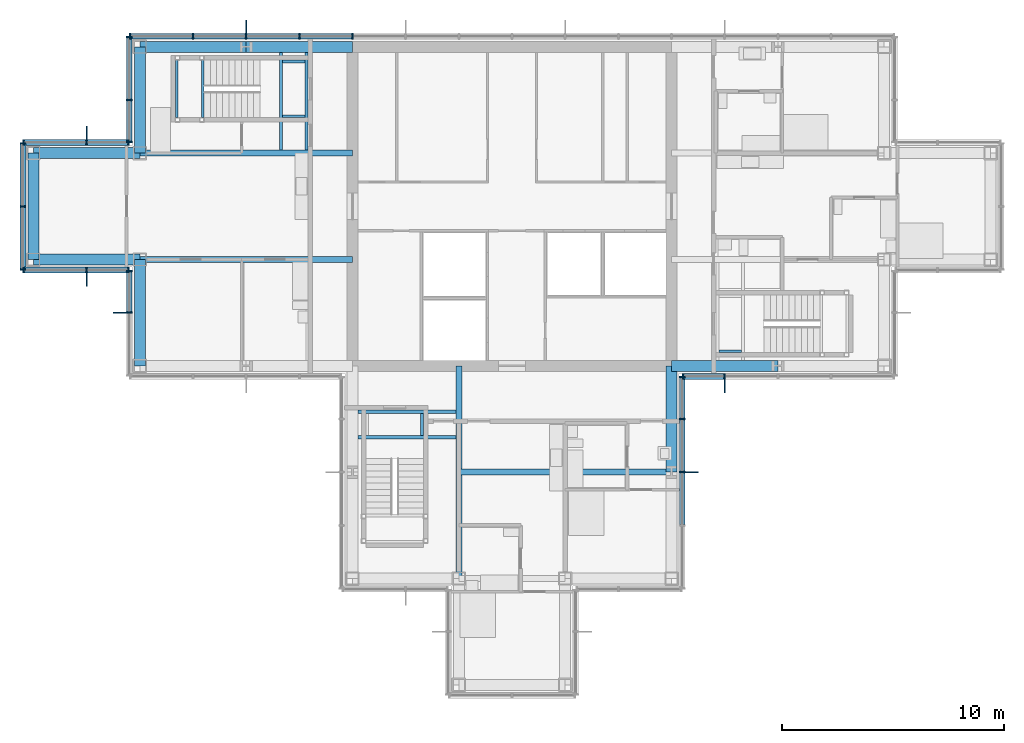
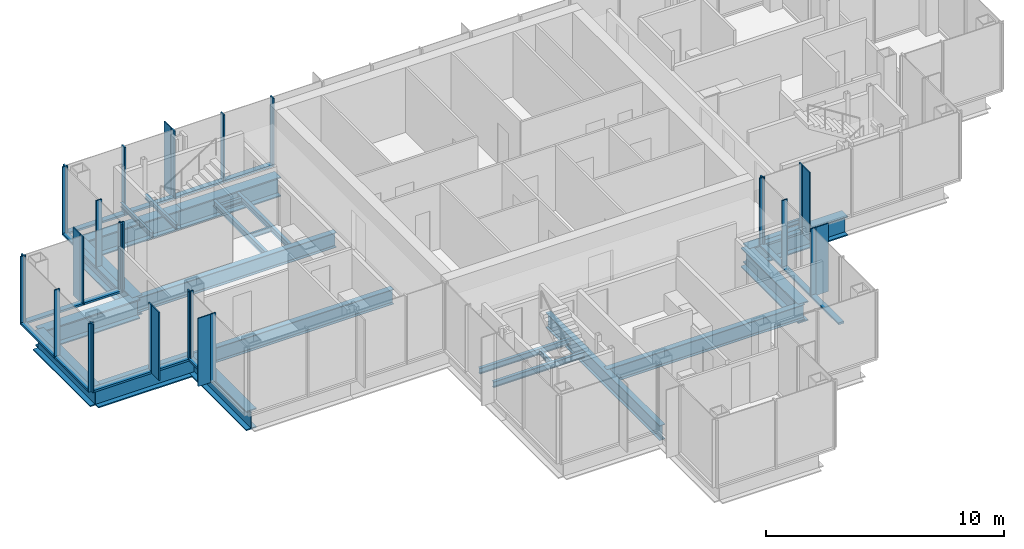
# One storey, part 6 of 15: 47 members, 23 beams, 8 elements without a shape of their own.
"""IFC4 building model written with IfcOpenShell, lengths in metres."""

from ifc_helpers import new_model, si_unit, direction, frame, origin, origin_2d, place, context, subcontext, project, spatial, rectangle, i_section, extrude, material, material_profile, profile_set, type_object, element, aggregate, save


model = new_model("IFC4")

# Units and contexts
model_context = context("Model", 3, precision=1e-05, world=origin(), true_north=direction((0.0, 1.0)))
body_context = subcontext(model_context, "Body", "Model", "MODEL_VIEW")
ifc_project = project(units=[si_unit("LENGTHUNIT", "METRE"), si_unit("AREAUNIT", "SQUARE_METRE"), si_unit("VOLUMEUNIT", "CUBIC_METRE"), si_unit("PLANEANGLEUNIT", "RADIAN"), si_unit("MASSUNIT", "GRAM", prefix="KILO")], contexts=[model_context])

# Site, building, storey
site_placement = place(None, origin())
site = spatial("IfcSite", under=ifc_project, at=site_placement, CompositionType="ELEMENT")
building_placement = place(site_placement, origin())
building = spatial("IfcBuilding", under=site, at=building_placement, Name="Kvirike Care Tower", CompositionType="ELEMENT")
storey_placement = place(building_placement, frame((0.0, 0.0, 215.5)))
storey = spatial("IfcBuildingStorey", under=building, at=storey_placement, Name="L59", CompositionType="ELEMENT", Elevation=215.5)

# Curtain wall, member
ifc_material_1 = material(Name="Anodised aluminium stick system", Category="aluminium")
curtain_wall_type = type_object("IfcCurtainWallType", Name="CW-D STICK CURTAIN WALL", PredefinedType="NOTDEFINED", material=ifc_material_1)
curtain_wall_1_placement = place(storey_placement, origin())
curtain_wall_1 = element("IfcCurtainWall", 1, at=curtain_wall_1_placement, inside=storey, type_object=curtain_wall_type, Name="Curtain wall L59 face 1", PredefinedType="NOTDEFINED")
ifc_material_2 = material(Name="Bronze anodised aluminium fin", Category="aluminium")
ifc_material_profile_1 = material_profile(ifc_material_2, rectangle(XDim=0.050048828125, YDim=0.60009765625, at=origin_2d()), Name="BRONZE FIN 600")
ifc_profile_set_1 = profile_set([ifc_material_profile_1], Name="Bronze anodised aluminium fin")
member_type_1 = type_object("IfcMemberType", Name="BRONZE FIN 600", PredefinedType="USERDEFINED", material=ifc_profile_set_1)
member_1_placement = place(storey_placement, frame((31.199951171875, 27.889892578125, 0.0), z_axis=(0.0, 0.0, 1.0), x_axis=(1.0, 0.0, 0.0)))
member_1 = element("IfcMember", 2, at=member_1_placement, type_object=member_type_1, Name="Bronze fin L59 face 1.2", ObjectType="FIN", PredefinedType="USERDEFINED", context=body_context, shape_type="SweptSolid", body=[
    extrude(rectangle(XDim=0.050048828125, YDim=0.60009765625, at=origin_2d()), origin(), (0.0, 0.0, 1.0), 3.5),
])

curtain_wall_2_placement = place(storey_placement, origin())
curtain_wall_2 = element("IfcCurtainWall", 3, at=curtain_wall_2_placement, inside=storey, type_object=curtain_wall_type, Name="Curtain wall L59 face 7", PredefinedType="NOTDEFINED")
member_2_placement = place(storey_placement, frame((9.60009765625, 44.110107421875, 0.0), z_axis=(0.0, 0.0, 1.0), x_axis=(-1.0, 0.0, 0.0)))
member_2 = element("IfcMember", 4, at=member_2_placement, type_object=member_type_1, Name="Bronze fin L59 face 7.13", ObjectType="FIN", PredefinedType="USERDEFINED", context=body_context, shape_type="SweptSolid", body=[
    extrude(rectangle(XDim=0.050048828125, YDim=0.60009765625, at=origin_2d()), origin(), (0.0, 0.0, 1.0), 3.5),
])

curtain_wall_3_placement = place(storey_placement, origin())
curtain_wall_3 = element("IfcCurtainWall", 5, at=curtain_wall_3_placement, inside=storey, type_object=curtain_wall_type, Name="Curtain wall L59 face 9", PredefinedType="NOTDEFINED")
member_3_placement = place(storey_placement, frame((2.39990234375, 39.31005859375, 0.0), z_axis=(0.0, 0.0, 1.0), x_axis=(-1.0, 0.0, 0.0)))
member_3 = element("IfcMember", 6, at=member_3_placement, type_object=member_type_1, Name="Bronze fin L59 face 9.2", ObjectType="FIN", PredefinedType="USERDEFINED", context=body_context, shape_type="SweptSolid", body=[
    extrude(rectangle(XDim=0.050048828125, YDim=0.60009765625, at=origin_2d()), origin(), (0.0, 0.0, 1.0), 3.5),
])

curtain_wall_4_placement = place(storey_placement, origin())
curtain_wall_4 = element("IfcCurtainWall", 7, at=curtain_wall_4_placement, inside=storey, type_object=curtain_wall_type, Name="Curtain wall L59 face 11", PredefinedType="NOTDEFINED")
member_4_placement = place(storey_placement, frame((2.39990234375, 32.68994140625, 0.0), z_axis=(0.0, 0.0, 1.0), x_axis=(1.0, 0.0, 0.0)))
member_4 = element("IfcMember", 8, at=member_4_placement, type_object=member_type_1, Name="Bronze fin L59 face 11.2", ObjectType="FIN", PredefinedType="USERDEFINED", context=body_context, shape_type="SweptSolid", body=[
    extrude(rectangle(XDim=0.050048828125, YDim=0.60009765625, at=origin_2d()), origin(), (0.0, 0.0, 1.0), 3.5),
])

curtain_wall_5_placement = place(storey_placement, origin())
curtain_wall_5 = element("IfcCurtainWall", 9, at=curtain_wall_5_placement, inside=storey, type_object=curtain_wall_type, Name="Curtain wall L59 face 12", PredefinedType="NOTDEFINED")
member_5_placement = place(storey_placement, frame((3.889892578125, 31.199951171875, 0.0), z_axis=(0.0, 0.0, 1.0), x_axis=(0.0, -1.0, 0.0)))
member_5 = element("IfcMember", 10, at=member_5_placement, type_object=member_type_1, Name="Bronze fin L59 face 12.2", ObjectType="FIN", PredefinedType="USERDEFINED", context=body_context, shape_type="SweptSolid", body=[
    extrude(rectangle(XDim=0.050048828125, YDim=0.60009765625, at=origin_2d()), origin(), (0.0, 0.0, 1.0), 3.5),
])

curtain_wall_6_placement = place(storey_placement, origin())
curtain_wall_6 = element("IfcCurtainWall", 11, at=curtain_wall_6_placement, inside=storey, type_object=curtain_wall_type, Name="Curtain wall L59 face 20", PredefinedType="NOTDEFINED")
member_6_placement = place(storey_placement, frame((29.7099609375, 24.0, 0.0), z_axis=(0.0, 0.0, 1.0), x_axis=(0.0, 1.0, 0.0)))
member_6 = element("IfcMember", 12, at=member_6_placement, type_object=member_type_1, Name="Bronze fin L59 face 20.3", ObjectType="FIN", PredefinedType="USERDEFINED", context=body_context, shape_type="SweptSolid", body=[
    extrude(rectangle(XDim=0.050048828125, YDim=0.60009765625, at=origin_2d()), origin(), (0.0, 0.0, 1.0), 3.5),
])

# Member
ifc_material_3 = material(Name="Bronze anodised aluminium mullion", Category="aluminium")
ifc_material_profile_2 = material_profile(ifc_material_3, rectangle(XDim=0.06494140625, YDim=0.260009765625, at=origin_2d()), Name="CW-D MULLION 65x260")
ifc_profile_set_2 = profile_set([ifc_material_profile_2], Name="Bronze anodised aluminium mullion")
member_type_2 = type_object("IfcMemberType", Name="CW-D MULLION 65x260", PredefinedType="MULLION", material=ifc_profile_set_2)
member_7_placement = place(storey_placement, frame((29.3125, 28.320068359375, 0.0), z_axis=(0.0, 0.0, 1.0), x_axis=(1.0, 0.0, 0.0)))
member_7 = element("IfcMember", 13, at=member_7_placement, type_object=member_type_2, Name="CW-D mullion L59 face 1.1", PredefinedType="MULLION", context=body_context, shape_type="SweptSolid", body=[
    extrude(rectangle(XDim=0.06494140625, YDim=0.260009765625, at=origin_2d()), origin(), (0.0, 0.0, 1.0), 3.5),
])

member_8_placement = place(storey_placement, frame((31.199951171875, 28.320068359375, 0.0), z_axis=(0.0, 0.0, 1.0), x_axis=(1.0, 0.0, 0.0)))
member_8 = element("IfcMember", 14, at=member_8_placement, type_object=member_type_2, Name="CW-D mullion L59 face 1.2", PredefinedType="MULLION", context=body_context, shape_type="SweptSolid", body=[
    extrude(rectangle(XDim=0.06494140625, YDim=0.260009765625, at=origin_2d()), origin(), (0.0, 0.0, 1.0), 3.5),
])

member_9_placement = place(storey_placement, frame((14.39990234375, 43.679931640625, 0.0), z_axis=(0.0, 0.0, 1.0), x_axis=(-1.0, 0.0, 0.0)))
member_9 = element("IfcMember", 15, at=member_9_placement, type_object=member_type_2, Name="CW-D mullion L59 face 7.11", PredefinedType="MULLION", context=body_context, shape_type="SweptSolid", body=[
    extrude(rectangle(XDim=0.06494140625, YDim=0.260009765625, at=origin_2d()), origin(), (0.0, 0.0, 1.0), 3.5),
])

member_10_placement = place(storey_placement, frame((12.0, 43.679931640625, 0.0), z_axis=(0.0, 0.0, 1.0), x_axis=(-1.0, 0.0, 0.0)))
member_10 = element("IfcMember", 16, at=member_10_placement, type_object=member_type_2, Name="CW-D mullion L59 face 7.12", PredefinedType="MULLION", context=body_context, shape_type="SweptSolid", body=[
    extrude(rectangle(XDim=0.06494140625, YDim=0.260009765625, at=origin_2d()), origin(), (0.0, 0.0, 1.0), 3.5),
])

member_11_placement = place(storey_placement, frame((9.60009765625, 43.679931640625, 0.0), z_axis=(0.0, 0.0, 1.0), x_axis=(-1.0, 0.0, 0.0)))
member_11 = element("IfcMember", 17, at=member_11_placement, type_object=member_type_2, Name="CW-D mullion L59 face 7.13", PredefinedType="MULLION", context=body_context, shape_type="SweptSolid", body=[
    extrude(rectangle(XDim=0.06494140625, YDim=0.260009765625, at=origin_2d()), origin(), (0.0, 0.0, 1.0), 3.5),
])

member_12_placement = place(storey_placement, frame((7.199951171875, 43.679931640625, 0.0), z_axis=(0.0, 0.0, 1.0), x_axis=(-1.0, 0.0, 0.0)))
member_12 = element("IfcMember", 18, at=member_12_placement, type_object=member_type_2, Name="CW-D mullion L59 face 7.14", PredefinedType="MULLION", context=body_context, shape_type="SweptSolid", body=[
    extrude(rectangle(XDim=0.06494140625, YDim=0.260009765625, at=origin_2d()), origin(), (0.0, 0.0, 1.0), 3.5),
])

member_13_placement = place(storey_placement, frame((4.3525390625, 43.679931640625, 0.0), z_axis=(0.0, 0.0, 1.0), x_axis=(-1.0, 0.0, 0.0)))
member_13 = element("IfcMember", 19, at=member_13_placement, type_object=member_type_2, Name="CW-D mullion L59 face 7.15", PredefinedType="MULLION", context=body_context, shape_type="SweptSolid", body=[
    extrude(rectangle(XDim=0.06494140625, YDim=0.260009765625, at=origin_2d()), origin(), (0.0, 0.0, 1.0), 3.5),
])

# Curtain wall, members
curtain_wall_7_placement = place(storey_placement, origin())
curtain_wall_7 = element("IfcCurtainWall", 20, at=curtain_wall_7_placement, inside=storey, type_object=curtain_wall_type, Name="Curtain wall L59 face 8", PredefinedType="NOTDEFINED")
member_14_placement = place(storey_placement, frame((4.320068359375, 43.6474609375, 0.0), z_axis=(0.0, 0.0, 1.0), x_axis=(0.0, -1.0, 0.0)))
member_14 = element("IfcMember", 21, at=member_14_placement, type_object=member_type_2, Name="CW-D mullion L59 face 8.1", PredefinedType="MULLION", context=body_context, shape_type="SweptSolid", body=[
    extrude(rectangle(XDim=0.06494140625, YDim=0.260009765625, at=origin_2d()), origin(), (0.0, 0.0, 1.0), 3.5),
])
member_15_placement = place(storey_placement, frame((4.320068359375, 40.800048828125, 0.0), z_axis=(0.0, 0.0, 1.0), x_axis=(0.0, -1.0, 0.0)))
member_15 = element("IfcMember", 22, at=member_15_placement, type_object=member_type_2, Name="CW-D mullion L59 face 8.2", PredefinedType="MULLION", context=body_context, shape_type="SweptSolid", body=[
    extrude(rectangle(XDim=0.06494140625, YDim=0.260009765625, at=origin_2d()), origin(), (0.0, 0.0, 1.0), 3.5),
])
member_16_placement = place(storey_placement, frame((4.320068359375, 38.91259765625, 0.0), z_axis=(0.0, 0.0, 1.0), x_axis=(0.0, -1.0, 0.0)))
member_16 = element("IfcMember", 23, at=member_16_placement, type_object=member_type_2, Name="CW-D mullion L59 face 8.3", PredefinedType="MULLION", context=body_context, shape_type="SweptSolid", body=[
    extrude(rectangle(XDim=0.06494140625, YDim=0.260009765625, at=origin_2d()), origin(), (0.0, 0.0, 1.0), 3.5),
])

# Member
member_17_placement = place(storey_placement, frame((4.28759765625, 38.8798828125, 0.0), z_axis=(0.0, 0.0, 1.0), x_axis=(-1.0, 0.0, 0.0)))
member_17 = element("IfcMember", 24, at=member_17_placement, type_object=member_type_2, Name="CW-D mullion L59 face 9.1", PredefinedType="MULLION", context=body_context, shape_type="SweptSolid", body=[
    extrude(rectangle(XDim=0.06494140625, YDim=0.260009765625, at=origin_2d()), origin(), (0.0, 0.0, 1.0), 3.5),
])

member_18_placement = place(storey_placement, frame((2.39990234375, 38.8798828125, 0.0), z_axis=(0.0, 0.0, 1.0), x_axis=(-1.0, 0.0, 0.0)))
member_18 = element("IfcMember", 25, at=member_18_placement, type_object=member_type_2, Name="CW-D mullion L59 face 9.2", PredefinedType="MULLION", context=body_context, shape_type="SweptSolid", body=[
    extrude(rectangle(XDim=0.06494140625, YDim=0.260009765625, at=origin_2d()), origin(), (0.0, 0.0, 1.0), 3.5),
])

member_19_placement = place(storey_placement, frame((-0.447509765625, 38.8798828125, 0.0), z_axis=(0.0, 0.0, 1.0), x_axis=(-1.0, 0.0, 0.0)))
member_19 = element("IfcMember", 26, at=member_19_placement, type_object=member_type_2, Name="CW-D mullion L59 face 9.3", PredefinedType="MULLION", context=body_context, shape_type="SweptSolid", body=[
    extrude(rectangle(XDim=0.06494140625, YDim=0.260009765625, at=origin_2d()), origin(), (0.0, 0.0, 1.0), 3.5),
])

# Curtain wall, members
curtain_wall_8_placement = place(storey_placement, origin())
curtain_wall_8 = element("IfcCurtainWall", 27, at=curtain_wall_8_placement, inside=storey, type_object=curtain_wall_type, Name="Curtain wall L59 face 10", PredefinedType="NOTDEFINED")
member_20_placement = place(storey_placement, frame((-0.47998046875, 38.847412109375, 0.0), z_axis=(0.0, 0.0, 1.0), x_axis=(0.0, -1.0, 0.0)))
member_20 = element("IfcMember", 28, at=member_20_placement, type_object=member_type_2, Name="CW-D mullion L59 face 10.1", PredefinedType="MULLION", context=body_context, shape_type="SweptSolid", body=[
    extrude(rectangle(XDim=0.06494140625, YDim=0.260009765625, at=origin_2d()), origin(), (0.0, 0.0, 1.0), 3.5),
])
member_21_placement = place(storey_placement, frame((-0.47998046875, 36.0, 0.0), z_axis=(0.0, 0.0, 1.0), x_axis=(0.0, -1.0, 0.0)))
member_21 = element("IfcMember", 29, at=member_21_placement, type_object=member_type_2, Name="CW-D mullion L59 face 10.2", PredefinedType="MULLION", context=body_context, shape_type="SweptSolid", body=[
    extrude(rectangle(XDim=0.06494140625, YDim=0.260009765625, at=origin_2d()), origin(), (0.0, 0.0, 1.0), 3.5),
])
member_22_placement = place(storey_placement, frame((-0.47998046875, 33.152587890625, 0.0), z_axis=(0.0, 0.0, 1.0), x_axis=(0.0, -1.0, 0.0)))
member_22 = element("IfcMember", 30, at=member_22_placement, type_object=member_type_2, Name="CW-D mullion L59 face 10.3", PredefinedType="MULLION", context=body_context, shape_type="SweptSolid", body=[
    extrude(rectangle(XDim=0.06494140625, YDim=0.260009765625, at=origin_2d()), origin(), (0.0, 0.0, 1.0), 3.5),
])

# Member
member_23_placement = place(storey_placement, frame((-0.447509765625, 33.1201171875, 0.0), z_axis=(0.0, 0.0, 1.0), x_axis=(1.0, 0.0, 0.0)))
member_23 = element("IfcMember", 31, at=member_23_placement, type_object=member_type_2, Name="CW-D mullion L59 face 11.1", PredefinedType="MULLION", context=body_context, shape_type="SweptSolid", body=[
    extrude(rectangle(XDim=0.06494140625, YDim=0.260009765625, at=origin_2d()), origin(), (0.0, 0.0, 1.0), 3.5),
])

member_24_placement = place(storey_placement, frame((2.39990234375, 33.1201171875, 0.0), z_axis=(0.0, 0.0, 1.0), x_axis=(1.0, 0.0, 0.0)))
member_24 = element("IfcMember", 32, at=member_24_placement, type_object=member_type_2, Name="CW-D mullion L59 face 11.2", PredefinedType="MULLION", context=body_context, shape_type="SweptSolid", body=[
    extrude(rectangle(XDim=0.06494140625, YDim=0.260009765625, at=origin_2d()), origin(), (0.0, 0.0, 1.0), 3.5),
])

member_25_placement = place(storey_placement, frame((4.28759765625, 33.1201171875, 0.0), z_axis=(0.0, 0.0, 1.0), x_axis=(1.0, 0.0, 0.0)))
member_25 = element("IfcMember", 33, at=member_25_placement, type_object=member_type_2, Name="CW-D mullion L59 face 11.3", PredefinedType="MULLION", context=body_context, shape_type="SweptSolid", body=[
    extrude(rectangle(XDim=0.06494140625, YDim=0.260009765625, at=origin_2d()), origin(), (0.0, 0.0, 1.0), 3.5),
])

member_26_placement = place(storey_placement, frame((4.320068359375, 33.08740234375, 0.0), z_axis=(0.0, 0.0, 1.0), x_axis=(0.0, -1.0, 0.0)))
member_26 = element("IfcMember", 34, at=member_26_placement, type_object=member_type_2, Name="CW-D mullion L59 face 12.1", PredefinedType="MULLION", context=body_context, shape_type="SweptSolid", body=[
    extrude(rectangle(XDim=0.06494140625, YDim=0.260009765625, at=origin_2d()), origin(), (0.0, 0.0, 1.0), 3.5),
])

member_27_placement = place(storey_placement, frame((4.320068359375, 31.199951171875, 0.0), z_axis=(0.0, 0.0, 1.0), x_axis=(0.0, -1.0, 0.0)))
member_27 = element("IfcMember", 35, at=member_27_placement, type_object=member_type_2, Name="CW-D mullion L59 face 12.2", PredefinedType="MULLION", context=body_context, shape_type="SweptSolid", body=[
    extrude(rectangle(XDim=0.06494140625, YDim=0.260009765625, at=origin_2d()), origin(), (0.0, 0.0, 1.0), 3.5),
])

member_28_placement = place(storey_placement, frame((29.280029296875, 24.0, 0.0), z_axis=(0.0, 0.0, 1.0), x_axis=(0.0, 1.0, 0.0)))
member_28 = element("IfcMember", 36, at=member_28_placement, type_object=member_type_2, Name="CW-D mullion L59 face 20.3", PredefinedType="MULLION", context=body_context, shape_type="SweptSolid", body=[
    extrude(rectangle(XDim=0.06494140625, YDim=0.260009765625, at=origin_2d()), origin(), (0.0, 0.0, 1.0), 3.5),
])

member_29_placement = place(storey_placement, frame((29.280029296875, 26.39990234375, 0.0), z_axis=(0.0, 0.0, 1.0), x_axis=(0.0, 1.0, 0.0)))
member_29 = element("IfcMember", 37, at=member_29_placement, type_object=member_type_2, Name="CW-D mullion L59 face 20.4", PredefinedType="MULLION", context=body_context, shape_type="SweptSolid", body=[
    extrude(rectangle(XDim=0.06494140625, YDim=0.260009765625, at=origin_2d()), origin(), (0.0, 0.0, 1.0), 3.5),
])

member_30_placement = place(storey_placement, frame((29.280029296875, 28.28759765625, 0.0), z_axis=(0.0, 0.0, 1.0), x_axis=(0.0, 1.0, 0.0)))
member_30 = element("IfcMember", 38, at=member_30_placement, type_object=member_type_2, Name="CW-D mullion L59 face 20.5", PredefinedType="MULLION", context=body_context, shape_type="SweptSolid", body=[
    extrude(rectangle(XDim=0.06494140625, YDim=0.260009765625, at=origin_2d()), origin(), (0.0, 0.0, 1.0), 3.5),
])

ifc_material_4 = material(Name="Bronze anodised aluminium transom", Category="aluminium")
ifc_material_profile_3 = material_profile(ifc_material_4, rectangle(XDim=0.260009765625, YDim=0.10009765625, at=origin_2d()), Name="CW-D TRANSOM 260x100")
ifc_profile_set_3 = profile_set([ifc_material_profile_3], Name="Bronze anodised aluminium transom")
member_type_3 = type_object("IfcMemberType", Name="CW-D TRANSOM 260x100", PredefinedType="USERDEFINED", material=ifc_profile_set_3)
member_31_placement = place(storey_placement, frame((29.344970703125, 28.320068359375, 0.050048828125), z_axis=(1.0, 0.0, 0.0), x_axis=(0.0, 1.0, 0.0)))
member_31 = element("IfcMember", 39, at=member_31_placement, type_object=member_type_3, Name="CW-D sill transom L59 face 1.1", ObjectType="TRANSOM", PredefinedType="USERDEFINED", context=body_context, shape_type="SweptSolid", body=[
    extrude(rectangle(XDim=0.260009765625, YDim=0.10009765625, at=origin_2d()), origin(), (0.0, 0.0, 1.0), 1.822509765625),
])

aggregate(curtain_wall_1, [member_7, member_8, member_1, member_31])

member_32_placement = place(storey_placement, frame((14.367431640625, 43.679931640625, 0.050048828125), z_axis=(-1.0, 0.0, 0.0), x_axis=(0.0, -1.0, 0.0)))
member_32 = element("IfcMember", 40, at=member_32_placement, type_object=member_type_3, Name="CW-D sill transom L59 face 7.11", ObjectType="TRANSOM", PredefinedType="USERDEFINED", context=body_context, shape_type="SweptSolid", body=[
    extrude(rectangle(XDim=0.260009765625, YDim=0.10009765625, at=origin_2d()), origin(), (0.0, 0.0, 1.0), 2.3349609375),
])

member_33_placement = place(storey_placement, frame((11.967529296875, 43.679931640625, 0.050048828125), z_axis=(-1.0, 0.0, 0.0), x_axis=(0.0, -1.0, 0.0)))
member_33 = element("IfcMember", 41, at=member_33_placement, type_object=member_type_3, Name="CW-D sill transom L59 face 7.12", ObjectType="TRANSOM", PredefinedType="USERDEFINED", context=body_context, shape_type="SweptSolid", body=[
    extrude(rectangle(XDim=0.260009765625, YDim=0.10009765625, at=origin_2d()), origin(), (0.0, 0.0, 1.0), 2.3349609375),
])

member_34_placement = place(storey_placement, frame((9.5673828125, 43.679931640625, 0.050048828125), z_axis=(-1.0, 0.0, 0.0), x_axis=(0.0, -1.0, 0.0)))
member_34 = element("IfcMember", 42, at=member_34_placement, type_object=member_type_3, Name="CW-D sill transom L59 face 7.13", ObjectType="TRANSOM", PredefinedType="USERDEFINED", context=body_context, shape_type="SweptSolid", body=[
    extrude(rectangle(XDim=0.260009765625, YDim=0.10009765625, at=origin_2d()), origin(), (0.0, 0.0, 1.0), 2.3349609375),
])

member_35_placement = place(storey_placement, frame((7.16748046875, 43.679931640625, 0.050048828125), z_axis=(-1.0, 0.0, 0.0), x_axis=(0.0, -1.0, 0.0)))
member_35 = element("IfcMember", 43, at=member_35_placement, type_object=member_type_3, Name="CW-D sill transom L59 face 7.14", ObjectType="TRANSOM", PredefinedType="USERDEFINED", context=body_context, shape_type="SweptSolid", body=[
    extrude(rectangle(XDim=0.260009765625, YDim=0.10009765625, at=origin_2d()), origin(), (0.0, 0.0, 1.0), 2.782470703125),
])

aggregate(curtain_wall_2, [member_9, member_10, member_11, member_2, member_12, member_13, member_32, member_33, member_34, member_35])

member_36_placement = place(storey_placement, frame((4.320068359375, 43.614990234375, 0.050048828125), z_axis=(0.0, -1.0, 0.0), x_axis=(1.0, 0.0, 0.0)))
member_36 = element("IfcMember", 44, at=member_36_placement, type_object=member_type_3, Name="CW-D sill transom L59 face 8.1", ObjectType="TRANSOM", PredefinedType="USERDEFINED", context=body_context, shape_type="SweptSolid", body=[
    extrude(rectangle(XDim=0.260009765625, YDim=0.10009765625, at=origin_2d()), origin(), (0.0, 0.0, 1.0), 2.782470703125),
])

member_37_placement = place(storey_placement, frame((4.320068359375, 40.767578125, 0.050048828125), z_axis=(0.0, -1.0, 0.0), x_axis=(1.0, 0.0, 0.0)))
member_37 = element("IfcMember", 45, at=member_37_placement, type_object=member_type_3, Name="CW-D sill transom L59 face 8.2", ObjectType="TRANSOM", PredefinedType="USERDEFINED", context=body_context, shape_type="SweptSolid", body=[
    extrude(rectangle(XDim=0.260009765625, YDim=0.10009765625, at=origin_2d()), origin(), (0.0, 0.0, 1.0), 1.822509765625),
])

aggregate(curtain_wall_7, [member_14, member_15, member_16, member_36, member_37])

member_38_placement = place(storey_placement, frame((4.2548828125, 38.8798828125, 0.050048828125), z_axis=(-1.0, 0.0, 0.0), x_axis=(0.0, -1.0, 0.0)))
member_38 = element("IfcMember", 46, at=member_38_placement, type_object=member_type_3, Name="CW-D sill transom L59 face 9.1", ObjectType="TRANSOM", PredefinedType="USERDEFINED", context=body_context, shape_type="SweptSolid", body=[
    extrude(rectangle(XDim=0.260009765625, YDim=0.10009765625, at=origin_2d()), origin(), (0.0, 0.0, 1.0), 1.822265625),
])

member_39_placement = place(storey_placement, frame((2.367431640625, 38.8798828125, 0.050048828125), z_axis=(-1.0, 0.0, 0.0), x_axis=(0.0, -1.0, 0.0)))
member_39 = element("IfcMember", 47, at=member_39_placement, type_object=member_type_3, Name="CW-D sill transom L59 face 9.2", ObjectType="TRANSOM", PredefinedType="USERDEFINED", context=body_context, shape_type="SweptSolid", body=[
    extrude(rectangle(XDim=0.260009765625, YDim=0.10009765625, at=origin_2d()), origin(), (0.0, 0.0, 1.0), 2.782470703125),
])

aggregate(curtain_wall_3, [member_17, member_18, member_3, member_19, member_38, member_39])

member_40_placement = place(storey_placement, frame((-0.47998046875, 38.81494140625, 0.050048828125), z_axis=(0.0, -1.0, 0.0), x_axis=(1.0, 0.0, 0.0)))
member_40 = element("IfcMember", 48, at=member_40_placement, type_object=member_type_3, Name="CW-D sill transom L59 face 10.1", ObjectType="TRANSOM", PredefinedType="USERDEFINED", context=body_context, shape_type="SweptSolid", body=[
    extrude(rectangle(XDim=0.260009765625, YDim=0.10009765625, at=origin_2d()), origin(), (0.0, 0.0, 1.0), 2.782470703125),
])

member_41_placement = place(storey_placement, frame((-0.47998046875, 35.967529296875, 0.050048828125), z_axis=(0.0, -1.0, 0.0), x_axis=(1.0, 0.0, 0.0)))
member_41 = element("IfcMember", 49, at=member_41_placement, type_object=member_type_3, Name="CW-D sill transom L59 face 10.2", ObjectType="TRANSOM", PredefinedType="USERDEFINED", context=body_context, shape_type="SweptSolid", body=[
    extrude(rectangle(XDim=0.260009765625, YDim=0.10009765625, at=origin_2d()), origin(), (0.0, 0.0, 1.0), 2.782470703125),
])

aggregate(curtain_wall_8, [member_20, member_21, member_22, member_40, member_41])

member_42_placement = place(storey_placement, frame((-0.4150390625, 33.1201171875, 0.050048828125), z_axis=(1.0, 0.0, 0.0), x_axis=(0.0, 1.0, 0.0)))
member_42 = element("IfcMember", 50, at=member_42_placement, type_object=member_type_3, Name="CW-D sill transom L59 face 11.1", ObjectType="TRANSOM", PredefinedType="USERDEFINED", context=body_context, shape_type="SweptSolid", body=[
    extrude(rectangle(XDim=0.260009765625, YDim=0.10009765625, at=origin_2d()), origin(), (0.0, 0.0, 1.0), 2.782470703125),
])

member_43_placement = place(storey_placement, frame((2.4326171875, 33.1201171875, 0.050048828125), z_axis=(1.0, 0.0, 0.0), x_axis=(0.0, 1.0, 0.0)))
member_43 = element("IfcMember", 51, at=member_43_placement, type_object=member_type_3, Name="CW-D sill transom L59 face 11.2", ObjectType="TRANSOM", PredefinedType="USERDEFINED", context=body_context, shape_type="SweptSolid", body=[
    extrude(rectangle(XDim=0.260009765625, YDim=0.10009765625, at=origin_2d()), origin(), (0.0, 0.0, 1.0), 1.822265625),
])

aggregate(curtain_wall_4, [member_23, member_24, member_4, member_25, member_42, member_43])

member_44_placement = place(storey_placement, frame((4.320068359375, 33.054931640625, 0.050048828125), z_axis=(0.0, -1.0, 0.0), x_axis=(1.0, 0.0, 0.0)))
member_44 = element("IfcMember", 52, at=member_44_placement, type_object=member_type_3, Name="CW-D sill transom L59 face 12.1", ObjectType="TRANSOM", PredefinedType="USERDEFINED", context=body_context, shape_type="SweptSolid", body=[
    extrude(rectangle(XDim=0.260009765625, YDim=0.10009765625, at=origin_2d()), origin(), (0.0, 0.0, 1.0), 1.822509765625),
])

aggregate(curtain_wall_5, [member_26, member_27, member_5, member_44])

member_45_placement = place(storey_placement, frame((29.280029296875, 21.632568359375, 0.050048828125), z_axis=(0.0, 1.0, 0.0), x_axis=(-1.0, 0.0, 0.0)))
member_45 = element("IfcMember", 53, at=member_45_placement, type_object=member_type_3, Name="CW-D sill transom L59 face 20.2", ObjectType="TRANSOM", PredefinedType="USERDEFINED", context=body_context, shape_type="SweptSolid", body=[
    extrude(rectangle(XDim=0.260009765625, YDim=0.10009765625, at=origin_2d()), origin(), (0.0, 0.0, 1.0), 2.3349609375),
])

member_46_placement = place(storey_placement, frame((29.280029296875, 24.032470703125, 0.050048828125), z_axis=(0.0, 1.0, 0.0), x_axis=(-1.0, 0.0, 0.0)))
member_46 = element("IfcMember", 54, at=member_46_placement, type_object=member_type_3, Name="CW-D sill transom L59 face 20.3", ObjectType="TRANSOM", PredefinedType="USERDEFINED", context=body_context, shape_type="SweptSolid", body=[
    extrude(rectangle(XDim=0.260009765625, YDim=0.10009765625, at=origin_2d()), origin(), (0.0, 0.0, 1.0), 2.3349609375),
])

member_47_placement = place(storey_placement, frame((29.280029296875, 26.4326171875, 0.050048828125), z_axis=(0.0, 1.0, 0.0), x_axis=(-1.0, 0.0, 0.0)))
member_47 = element("IfcMember", 55, at=member_47_placement, type_object=member_type_3, Name="CW-D sill transom L59 face 20.4", ObjectType="TRANSOM", PredefinedType="USERDEFINED", context=body_context, shape_type="SweptSolid", body=[
    extrude(rectangle(XDim=0.260009765625, YDim=0.10009765625, at=origin_2d()), origin(), (0.0, 0.0, 1.0), 1.822265625),
])

aggregate(curtain_wall_6, [member_28, member_6, member_29, member_30, member_45, member_46, member_47])

# Beams
ifc_material_5 = material(Name="Steel S355", Category="steel")
ifc_material_profile_4 = material_profile(ifc_material_5, i_section(OverallWidth=0.26806640625, OverallDepth=0.77001953125, WebThickness=0.015625, FlangeThickness=0.025390625, FilletRadius=0.01708984375, at=origin_2d()), Name="IPE 750x196")
ifc_profile_set_4 = profile_set([ifc_material_profile_4], Name="Steel S355")
beam_type_1 = type_object("IfcBeamType", Name="FLOOR BEAM IPE 750x196", PredefinedType="BEAM", material=ifc_profile_set_4)
beam_1_placement = place(storey_placement, frame((19.199951171875, 24.0, -0.554931640625), z_axis=(1.0, 0.0, 0.0), x_axis=(0.0, 1.0, 0.0)))
element("IfcBeam", 56, at=beam_1_placement, inside=storey, type_object=beam_type_1, Name="Floor Beam F7-F9 L59", PredefinedType="BEAM", context=body_context, shape_type="SweptSolid", body=[
    extrude(i_section(OverallWidth=0.26806640625, OverallDepth=0.77001953125, WebThickness=0.015625, FlangeThickness=0.025390625, FilletRadius=0.01708984375, at=origin_2d()), origin(), (0.0, 0.0, 1.0), 9.60009765625),
])
for number, where, z_axis, x_axis, name in (
    (57, (4.800048828125, 33.60009765625, -0.554931640625), (1.0, 0.0, 0.0), (0.0, 1.0, 0.0), "Floor Beam H4-H6 L59"),
    (58, (4.800048828125, 38.39990234375, -0.554931640625), (1.0, 0.0, 0.0), (0.0, 1.0, 0.0), "Floor Beam J4-J6 L59"),
):
    element("IfcBeam", number, at=place(storey_placement, frame(where, z_axis=z_axis, x_axis=x_axis)), inside=storey, type_object=beam_type_1, Name=name, PredefinedType="BEAM", context=body_context, shape_type="SweptSolid", body=[
        extrude(i_section(OverallWidth=0.26806640625, OverallDepth=0.77001953125, WebThickness=0.015625, FlangeThickness=0.025390625, FilletRadius=0.01708984375, at=origin_2d()), origin(), (0.0, 0.0, 1.0), 9.599853515625),
    ])
beam_2_placement = place(storey_placement, frame((19.199951171875, 19.199951171875, -0.554931640625), z_axis=(0.0, 1.0, 0.0), x_axis=(-1.0, 0.0, 0.0)))
element("IfcBeam", 59, at=beam_2_placement, inside=storey, type_object=beam_type_1, Name="Floor Beam E7-G7 L59", PredefinedType="BEAM", context=body_context, shape_type="SweptSolid", body=[
    extrude(i_section(OverallWidth=0.26806640625, OverallDepth=0.77001953125, WebThickness=0.015625, FlangeThickness=0.025390625, FilletRadius=0.01708984375, at=origin_2d()), origin(), (0.0, 0.0, 1.0), 9.60009765625),
])
ifc_material_6 = material(Name="Steel S355", Category="steel")
ifc_material_profile_5 = material_profile(ifc_material_6, i_section(OverallWidth=0.5, OverallDepth=1.0, WebThickness=0.030029296875, FlangeThickness=0.06005859375, at=origin_2d()), Name="PG 1000x500x30x60")
ifc_profile_set_5 = profile_set([ifc_material_profile_5], Name="Steel S355")
beam_type_2 = type_object("IfcBeamType", Name="SPANDREL PG 1000x500x30x60", PredefinedType="SPANDREL", material=ifc_profile_set_5)
for number, where, z_axis, x_axis, name in (
    (60, (28.800048828125, 28.800048828125, -0.669921875), (1.0, 0.0, 0.0), (0.0, 1.0, 0.0), "Spandrel G9-G10 L59"),
    (61, (0.0, 33.60009765625, -0.669921875), (1.0, 0.0, 0.0), (0.0, 1.0, 0.0), "Spandrel H3-H4 L59"),
    (62, (0.0, 38.39990234375, -0.669921875), (1.0, 0.0, 0.0), (0.0, 1.0, 0.0), "Spandrel J3-J4 L59"),
    (63, (4.800048828125, 43.199951171875, -0.669921875), (1.0, 0.0, 0.0), (0.0, 1.0, 0.0), "Spandrel K4-K5 L59"),
):
    element("IfcBeam", number, at=place(storey_placement, frame(where, z_axis=z_axis, x_axis=x_axis)), inside=storey, type_object=beam_type_2, Name=name, PredefinedType="SPANDREL", context=body_context, shape_type="SweptSolid", body=[
        extrude(i_section(OverallWidth=0.5, OverallDepth=1.0, WebThickness=0.030029296875, FlangeThickness=0.06005859375, at=origin_2d()), origin(), (0.0, 0.0, 1.0), 4.800048828125),
    ])
for number, where, z_axis, x_axis, name in (
    (64, (9.60009765625, 43.199951171875, -0.669921875), (1.0, 0.0, 0.0), (0.0, 1.0, 0.0), "Spandrel K5-K6 L59"),
    (65, (0.0, 33.60009765625, -0.669921875), (0.0, 1.0, 0.0), (-1.0, 0.0, 0.0), "Spandrel H3-J3 L59"),
):
    element("IfcBeam", number, at=place(storey_placement, frame(where, z_axis=z_axis, x_axis=x_axis)), inside=storey, type_object=beam_type_2, Name=name, PredefinedType="SPANDREL", context=body_context, shape_type="SweptSolid", body=[
        extrude(i_section(OverallWidth=0.5, OverallDepth=1.0, WebThickness=0.030029296875, FlangeThickness=0.06005859375, at=origin_2d()), origin(), (0.0, 0.0, 1.0), 4.7998046875),
    ])
for number, where, z_axis, x_axis, name in (
    (66, (4.800048828125, 28.800048828125, -0.669921875), (0.0, 1.0, 0.0), (-1.0, 0.0, 0.0), "Spandrel G4-H4 L59"),
    (67, (4.800048828125, 38.39990234375, -0.669921875), (0.0, 1.0, 0.0), (-1.0, 0.0, 0.0), "Spandrel J4-K4 L59"),
    (68, (28.800048828125, 24.0, -0.669921875), (0.0, 1.0, 0.0), (-1.0, 0.0, 0.0), "Spandrel F9-G9 L59"),
):
    element("IfcBeam", number, at=place(storey_placement, frame(where, z_axis=z_axis, x_axis=x_axis)), inside=storey, type_object=beam_type_2, Name=name, PredefinedType="SPANDREL", context=body_context, shape_type="SweptSolid", body=[
        extrude(i_section(OverallWidth=0.5, OverallDepth=1.0, WebThickness=0.030029296875, FlangeThickness=0.06005859375, at=origin_2d()), origin(), (0.0, 0.0, 1.0), 4.800048828125),
    ])
ifc_material_7 = material(Name="Steel S355", Category="steel")
ifc_material_profile_6 = material_profile(ifc_material_7, i_section(OverallWidth=0.1201171875, OverallDepth=0.239990234375, WebThickness=0.006103515625, FlangeThickness=0.009765625, FilletRadius=0.014892578125, at=origin_2d()), Name="IPE 240")
ifc_profile_set_6 = profile_set([ifc_material_profile_6], Name="Steel S355")
beam_type_3 = type_object("IfcBeamType", Name="STAIR LANDING BEAM IPE 240", PredefinedType="BEAM", material=ifc_profile_set_6)
for number, where, z_axis, x_axis, name in (
    (69, (6.4599609375, 42.60009765625, 1.429931640625), (0.0, -1.0, 0.0), (1.0, 0.0, 0.0), "Stair 1 landing beam back L59"),
    (70, (7.639892578125, 42.60009765625, 1.429931640625), (0.0, -1.0, 0.0), (1.0, 0.0, 0.0), "Stair 1 landing beam front L59"),
):
    element("IfcBeam", number, at=place(storey_placement, frame(where, z_axis=z_axis, x_axis=x_axis)), inside=storey, type_object=beam_type_3, Name=name, PredefinedType="BEAM", context=body_context, shape_type="SweptSolid", body=[
        extrude(i_section(OverallWidth=0.1201171875, OverallDepth=0.239990234375, WebThickness=0.006103515625, FlangeThickness=0.009765625, FilletRadius=0.014892578125, at=origin_2d()), origin(), (0.0, 0.0, 1.0), 2.60009765625),
    ])
for number, where, z_axis, x_axis, name in (
    (71, (11.25, 42.5400390625, -0.320068359375), (1.0, 0.0, 0.0), (0.0, 1.0, 0.0), "Stair 1 landing edge beam 1 L59"),
    (72, (11.25, 40.06005859375, -0.320068359375), (1.0, 0.0, 0.0), (0.0, 1.0, 0.0), "Stair 1 landing edge beam 2 L59"),
    (73, (31.949951171875, 29.4599609375, -0.320068359375), (-1.0, 0.0, 0.0), (0.0, -1.0, 0.0), "Stair 2 landing edge beam 1 L59"),
    (74, (17.5400390625, 25.64990234375, -0.320068359375), (0.0, 1.0, 0.0), (-1.0, 0.0, 0.0), "Stair 5 landing edge beam 2 L59"),
):
    element("IfcBeam", number, at=place(storey_placement, frame(where, z_axis=z_axis, x_axis=x_axis)), inside=storey, type_object=beam_type_3, Name=name, PredefinedType="BEAM", context=body_context, shape_type="SweptSolid", body=[
        extrude(i_section(OverallWidth=0.1201171875, OverallDepth=0.239990234375, WebThickness=0.006103515625, FlangeThickness=0.009765625, FilletRadius=0.014892578125, at=origin_2d()), origin(), (0.0, 0.0, 1.0), 1.0),
    ])
ifc_material_8 = material(Name="Steel S355", Category="steel")
ifc_material_profile_7 = material_profile(ifc_material_8, i_section(OverallWidth=0.14990234375, OverallDepth=0.300048828125, WebThickness=0.007080078125, FlangeThickness=0.0107421875, FilletRadius=0.014892578125, at=origin_2d()), Name="IPE 300")
ifc_profile_set_7 = profile_set([ifc_material_profile_7], Name="Steel S355")
beam_type_4 = type_object("IfcBeamType", Name="STAIR TRIMMER IPE 300", PredefinedType="BEAM", material=ifc_profile_set_7)
for number, where, z_axis, x_axis, name in (
    (75, (11.175048828125, 42.949951171875, -0.35009765625), (0.0, -1.0, 0.0), (1.0, 0.0, 0.0), "Stair 1 trimmer 1 L59"),
    (76, (12.324951171875, 42.949951171875, -0.35009765625), (0.0, -1.0, 0.0), (1.0, 0.0, 0.0), "Stair 1 trimmer 2 L59"),
    (77, (14.64990234375, 25.574951171875, -0.35009765625), (1.0, 0.0, 0.0), (0.0, 1.0, 0.0), "Stair 5 trimmer 1 L59"),
    (78, (14.64990234375, 26.72509765625, -0.35009765625), (1.0, 0.0, 0.0), (0.0, 1.0, 0.0), "Stair 5 trimmer 2 L59"),
):
    element("IfcBeam", number, at=place(storey_placement, frame(where, z_axis=z_axis, x_axis=x_axis)), inside=storey, type_object=beam_type_4, Name=name, PredefinedType="BEAM", context=body_context, shape_type="SweptSolid", body=[
        extrude(i_section(OverallWidth=0.14990234375, OverallDepth=0.300048828125, WebThickness=0.007080078125, FlangeThickness=0.0107421875, FilletRadius=0.014892578125, at=origin_2d()), origin(), (0.0, 0.0, 1.0), 4.416015625),
    ])

save(model, "model.ifc")
